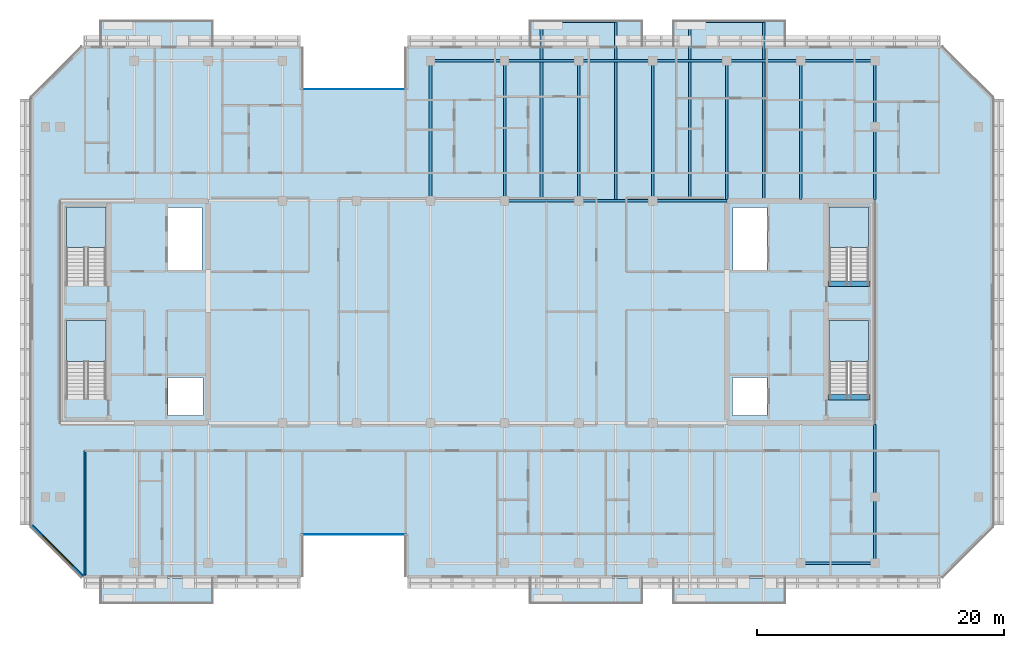
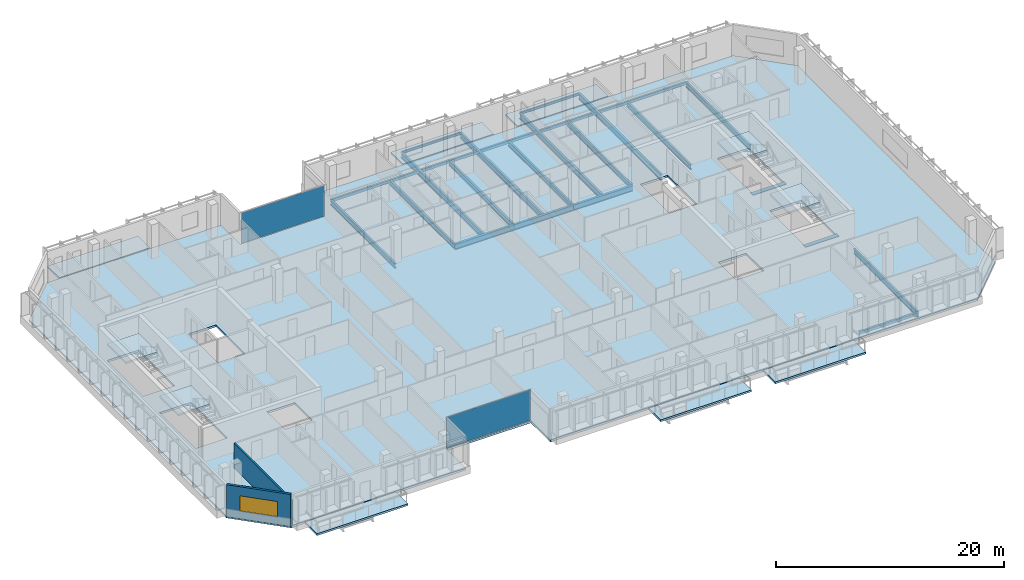
# One storey, part 5 of 17: 26 beams, 11 slabs, 2 plates, 2 walls, 1 window, 1 opening, 6 elements without a shape of their own.
"""IFC4 building model written with IfcOpenShell, lengths in metres."""

from ifc_helpers import new_model, si_unit, direction, frame, frame_2d, origin, origin_2d, place, context, subcontext, project, spatial, polyline, rectangle, hollow_rectangle, i_section, outline, extrude, material, layer, layer_set, material_profile, profile_set, type_object, element, fill, aggregate, save


model = new_model("IFC4")

# Units and contexts
model_context = context("Model", 3, precision=1e-05, world=origin(), true_north=direction((0.0, 1.0)))
body_context = subcontext(model_context, "Body", "Model", "MODEL_VIEW")
ifc_project = project(units=[si_unit("LENGTHUNIT", "METRE"), si_unit("AREAUNIT", "SQUARE_METRE"), si_unit("VOLUMEUNIT", "CUBIC_METRE"), si_unit("PLANEANGLEUNIT", "RADIAN"), si_unit("MASSUNIT", "GRAM", prefix="KILO")], contexts=[model_context])

# Site, building, storey
site_placement = place(None, origin())
site = spatial("IfcSite", under=ifc_project, at=site_placement, CompositionType="ELEMENT")
building_placement = place(site_placement, origin())
building = spatial("IfcBuilding", under=site, at=building_placement, Name="Tanjung Sevakor Pilgrim Tower", CompositionType="ELEMENT")
storey_placement = place(building_placement, frame((0.0, 0.0, 219.1201171875)))
storey = spatial("IfcBuildingStorey", under=building, at=storey_placement, Name="L61", CompositionType="ELEMENT", Elevation=219.1201171875)

# Beams
ifc_material_1 = material(Name="Steel S355J2", Category="steel")
ifc_material_profile_1 = material_profile(ifc_material_1, i_section(OverallWidth=0.22900390625, OverallDepth=0.6123046875, WebThickness=0.011962890625, FlangeThickness=0.01953125, FilletRadius=0.0126953125, at=origin_2d()))
ifc_profile_set_1 = profile_set([ifc_material_profile_1], Name="Steel S355J2")
beam_type_1 = type_object("IfcBeamType", Name="BM-B-G4-UB_610x229x125", PredefinedType="BEAM", material=ifc_profile_set_1)
for number, where, z_axis, x_axis, name in (
    (1, (60.0, 42.60009765625, -0.526123046875), (1.0, 0.0, 0.0), (0.0, 1.0, 0.0), "L61 Primary Floor Girder MAIN Y426-06"),
    (2, (66.0, 42.60009765625, -0.526123046875), (1.0, 0.0, 0.0), (0.0, 1.0, 0.0), "L61 Primary Floor Girder MAIN Y426-07"),
    (3, (72.0, 42.60009765625, -0.526123046875), (1.0, 0.0, 0.0), (0.0, 1.0, 0.0), "L61 Primary Floor Girder MAIN Y426-08"),
):
    element("IfcBeam", number, at=place(storey_placement, frame(where, z_axis=z_axis, x_axis=x_axis)), inside=storey, type_object=beam_type_1, Name=name, PredefinedType="BEAM", context=body_context, shape_type="SweptSolid", body=[
        extrude(i_section(OverallWidth=0.22900390625, OverallDepth=0.6123046875, WebThickness=0.011962890625, FlangeThickness=0.01953125, FilletRadius=0.0126953125, at=origin_2d()), origin(), (0.0, 0.0, 1.0), 6.0),
    ])
for number, where, z_axis, x_axis, name in (
    (4, (63.0, 42.714599609375, -0.526123046875), (0.0, 1.0, 0.0), (-1.0, 0.0, 0.0), "L61 Balcony Cantilever Beam MAIN-N2-1"),
    (5, (69.0, 42.714599609375, -0.526123046875), (0.0, 1.0, 0.0), (-1.0, 0.0, 0.0), "L61 Balcony Cantilever Beam MAIN-N2-2"),
    (6, (75.0, 42.714599609375, -0.526123046875), (0.0, 1.0, 0.0), (-1.0, 0.0, 0.0), "L61 Balcony Cantilever Beam MAIN-N3-1"),
    (7, (81.0, 42.714599609375, -0.526123046875), (0.0, 1.0, 0.0), (-1.0, 0.0, 0.0), "L61 Balcony Cantilever Beam MAIN-N3-2"),
):
    element("IfcBeam", number, at=place(storey_placement, frame(where, z_axis=z_axis, x_axis=x_axis)), inside=storey, type_object=beam_type_1, Name=name, PredefinedType="BEAM", context=body_context, shape_type="SweptSolid", body=[
        extrude(i_section(OverallWidth=0.22900390625, OverallDepth=0.6123046875, WebThickness=0.011962890625, FlangeThickness=0.01953125, FilletRadius=0.0126953125, at=origin_2d()), origin(), (0.0, 0.0, 1.0), 14.415283203125),
    ])
ifc_material_2 = material(Name="Steel S355J2", Category="steel")
ifc_material_profile_2 = material_profile(ifc_material_2, i_section(OverallWidth=0.2119140625, OverallDepth=0.54443359375, WebThickness=0.0126953125, FlangeThickness=0.021240234375, FilletRadius=0.0126953125, at=origin_2d()))
ifc_profile_set_2 = profile_set([ifc_material_profile_2], Name="Steel S355J2")
beam_type_2 = type_object("IfcBeamType", Name="BM-B-G5-UB_533x210x122", PredefinedType="BEAM", material=ifc_profile_set_2)
for number, where, z_axis, x_axis, name in (
    (8, (54.0, 42.60009765625, -0.492431640625), (0.0, 1.0, 0.0), (-1.0, 0.0, 0.0), "L61 MAIN Girder 009"),
    (9, (60.0, 42.60009765625, -0.492431640625), (0.0, 1.0, 0.0), (-1.0, 0.0, 0.0), "L61 MAIN Girder 012"),
    (10, (66.0, 42.60009765625, -0.492431640625), (0.0, 1.0, 0.0), (-1.0, 0.0, 0.0), "L61 MAIN Girder 015"),
    (11, (72.0, 42.60009765625, -0.492431640625), (0.0, 1.0, 0.0), (-1.0, 0.0, 0.0), "L61 MAIN Girder 018"),
):
    element("IfcBeam", number, at=place(storey_placement, frame(where, z_axis=z_axis, x_axis=x_axis)), inside=storey, type_object=beam_type_2, Name=name, PredefinedType="BEAM", context=body_context, shape_type="SweptSolid", body=[
        extrude(i_section(OverallWidth=0.2119140625, OverallDepth=0.54443359375, WebThickness=0.0126953125, FlangeThickness=0.021240234375, FilletRadius=0.0126953125, at=origin_2d()), origin(), (0.0, 0.0, 1.0), 11.349853515625),
    ])
for number, where, z_axis, x_axis, name in (
    (12, (78.0, 42.714599609375, -0.492431640625), (0.0, 1.0, 0.0), (-1.0, 0.0, 0.0), "L61 MAIN Girder 020"),
    (13, (84.0, 42.714599609375, -0.492431640625), (0.0, 1.0, 0.0), (-1.0, 0.0, 0.0), "L61 MAIN Girder 022"),
):
    element("IfcBeam", number, at=place(storey_placement, frame(where, z_axis=z_axis, x_axis=x_axis)), inside=storey, type_object=beam_type_2, Name=name, PredefinedType="BEAM", context=body_context, shape_type="SweptSolid", body=[
        extrude(i_section(OverallWidth=0.2119140625, OverallDepth=0.54443359375, WebThickness=0.0126953125, FlangeThickness=0.021240234375, FilletRadius=0.0126953125, at=origin_2d()), origin(), (0.0, 0.0, 1.0), 11.2353515625),
    ])
beam_1_placement = place(storey_placement, frame((90.0, 13.25, -0.492431640625), z_axis=(0.0, 1.0, 0.0), x_axis=(-1.0, 0.0, 0.0)))
element("IfcBeam", 14, at=beam_1_placement, inside=storey, type_object=beam_type_2, Name="L61 MAIN Girder 023", PredefinedType="BEAM", context=body_context, shape_type="SweptSolid", body=[
    extrude(i_section(OverallWidth=0.2119140625, OverallDepth=0.54443359375, WebThickness=0.0126953125, FlangeThickness=0.021240234375, FilletRadius=0.0126953125, at=origin_2d()), origin(), (0.0, 0.0, 1.0), 11.235595703125),
])
beam_2_placement = place(storey_placement, frame((90.0, 42.714599609375, -0.492431640625), z_axis=(0.0, 1.0, 0.0), x_axis=(-1.0, 0.0, 0.0)))
element("IfcBeam", 15, at=beam_2_placement, inside=storey, type_object=beam_type_2, Name="L61 MAIN Girder 024", PredefinedType="BEAM", context=body_context, shape_type="SweptSolid", body=[
    extrude(i_section(OverallWidth=0.2119140625, OverallDepth=0.54443359375, WebThickness=0.0126953125, FlangeThickness=0.021240234375, FilletRadius=0.0126953125, at=origin_2d()), origin(), (0.0, 0.0, 1.0), 11.2353515625),
])
ifc_material_3 = material(Name="Steel S355J2", Category="steel")
ifc_material_profile_3 = material_profile(ifc_material_3, i_section(OverallWidth=0.146484375, OverallDepth=0.256103515625, WebThickness=0.00634765625, FlangeThickness=0.010986328125, FilletRadius=0.007568359375, at=origin_2d()))
ifc_profile_set_3 = profile_set([ifc_material_profile_3], Name="Steel S355J2")
beam_type_3 = type_object("IfcBeamType", Name="BM-B-J6-UB_254x146x37", PredefinedType="JOIST", material=ifc_profile_set_3)
for number, where, z_axis, x_axis, name in (
    (16, (63.0, 57.1298828125, -0.328125), (1.0, 0.0, 0.0), (0.0, 1.0, 0.0), "L61 Balcony Rim Tie MAIN-N2"),
    (17, (75.0, 57.1298828125, -0.328125), (1.0, 0.0, 0.0), (0.0, 1.0, 0.0), "L61 Balcony Rim Tie MAIN-N3"),
):
    element("IfcBeam", number, at=place(storey_placement, frame(where, z_axis=z_axis, x_axis=x_axis)), inside=storey, type_object=beam_type_3, Name=name, PredefinedType="JOIST", context=body_context, shape_type="SweptSolid", body=[
        extrude(i_section(OverallWidth=0.146484375, OverallDepth=0.256103515625, WebThickness=0.00634765625, FlangeThickness=0.010986328125, FilletRadius=0.007568359375, at=origin_2d()), origin(), (0.0, 0.0, 1.0), 6.0),
    ])
ifc_material_4 = material(Name="Concrete C60/75", Category="concrete")
ifc_material_profile_4 = material_profile(ifc_material_4, rectangle(XDim=0.449951171875, YDim=0.699951171875, at=origin_2d()))
ifc_profile_set_4 = profile_set([ifc_material_profile_4], Name="Concrete C60/75")
beam_type_4 = type_object("IfcBeamType", Name="BM-B-LN3-RC-BM_450x700", PredefinedType="LINTEL", material=ifc_profile_set_4)
for number, where, z_axis, x_axis, name in (
    (18, (86.199951171875, 26.699951171875, -0.35009765625), (1.0, 0.0, 0.0), (0.0, 1.0, 0.0), "L61 TS-E1 Stair Threshold Beam"),
    (19, (86.199951171875, 35.89990234375, -0.35009765625), (1.0, 0.0, 0.0), (0.0, 1.0, 0.0), "L61 TS-E2 Stair Threshold Beam"),
):
    element("IfcBeam", number, at=place(storey_placement, frame(where, z_axis=z_axis, x_axis=x_axis)), inside=storey, type_object=beam_type_4, Name=name, PredefinedType="LINTEL", context=body_context, shape_type="SweptSolid", body=[
        extrude(rectangle(XDim=0.449951171875, YDim=0.699951171875, at=origin_2d()), origin(), (0.0, 0.0, 1.0), 3.400146484375),
    ])
ifc_material_5 = material(Name="Steel S355J2", Category="steel")
ifc_material_profile_5 = material_profile(ifc_material_5, hollow_rectangle(XDim=0.199951171875, YDim=0.300048828125, WallThickness=0.012451171875, at=origin_2d()))
ifc_profile_set_5 = profile_set([ifc_material_profile_5], Name="Steel S355J2")
beam_type_5 = type_object("IfcBeamType", Name="BM-B-SP3-RHS_300x200x12.5", PredefinedType="SPANDREL", material=ifc_profile_set_5)
for number, where, z_axis, x_axis, name in (
    (20, (54.0, 53.949951171875, -0.3701171875), (1.0, 0.0, 0.0), (0.0, 1.0, 0.0), "L61 Spandrel MAIN N-06"),
    (21, (60.0, 53.949951171875, -0.3701171875), (1.0, 0.0, 0.0), (0.0, 1.0, 0.0), "L61 Spandrel MAIN N-08"),
    (22, (66.0, 53.949951171875, -0.3701171875), (1.0, 0.0, 0.0), (0.0, 1.0, 0.0), "L61 Spandrel MAIN N-10"),
    (23, (72.0, 53.949951171875, -0.3701171875), (1.0, 0.0, 0.0), (0.0, 1.0, 0.0), "L61 Spandrel MAIN N-12"),
    (24, (78.0, 53.949951171875, -0.3701171875), (1.0, 0.0, 0.0), (0.0, 1.0, 0.0), "L61 Spandrel MAIN N-14"),
    (25, (84.0, 13.25, -0.3701171875), (1.0, 0.0, 0.0), (0.0, 1.0, 0.0), "L61 Spandrel MAIN S-15"),
    (26, (84.0, 53.949951171875, -0.3701171875), (1.0, 0.0, 0.0), (0.0, 1.0, 0.0), "L61 Spandrel MAIN N-16"),
):
    element("IfcBeam", number, at=place(storey_placement, frame(where, z_axis=z_axis, x_axis=x_axis)), inside=storey, type_object=beam_type_5, Name=name, PredefinedType="SPANDREL", context=body_context, shape_type="SweptSolid", body=[
        extrude(hollow_rectangle(XDim=0.199951171875, YDim=0.300048828125, WallThickness=0.012451171875, at=origin_2d()), origin(), (0.0, 0.0, 1.0), 6.0),
    ])

# Slabs
ifc_material_6 = material(Name="Concrete C40/50", Category="concrete")
ifc_layer_1 = layer(ifc_material_6, 0.199951171875)
ifc_layer_set_1 = layer_set([ifc_layer_1], Name="SL-BAL-200")
slab_type_1 = type_object("IfcSlabType", Name="SL-BAL-200", PredefinedType="FLOOR", material=ifc_layer_set_1)
slab_1_placement = place(storey_placement, frame((0.0, 0.0, -0.2001953125)))
element("IfcSlab", 27, at=slab_1_placement, inside=storey, type_object=slab_type_1, Name="L61 Planted Loggia Balcony MAIN-S1", PredefinedType="FLOOR", context=body_context, shape_type="SweptSolid", body=[
    extrude(outline(polyline([(27.199951171875, 9.949951171875), (36.39990234375, 9.949951171875), (36.39990234375, 12.050048828125), (27.199951171875, 12.050048828125), (27.199951171875, 9.949951171875)])), origin(), (0.0, 0.0, 1.0), 0.2001953125),
])
slab_2_placement = place(storey_placement, frame((0.0, 0.0, -0.2001953125)))
element("IfcSlab", 28, at=slab_2_placement, inside=storey, type_object=slab_type_1, Name="L61 Planted Loggia Balcony MAIN-N1", PredefinedType="FLOOR", context=body_context, shape_type="SweptSolid", body=[
    extrude(outline(polyline([(27.199951171875, 55.14990234375), (36.39990234375, 55.14990234375), (36.39990234375, 57.25), (27.199951171875, 57.25), (27.199951171875, 55.14990234375)])), origin(), (0.0, 0.0, 1.0), 0.2001953125),
])
slab_3_placement = place(storey_placement, frame((0.0, 0.0, -0.2001953125)))
element("IfcSlab", 29, at=slab_3_placement, inside=storey, type_object=slab_type_1, Name="L61 Planted Loggia Balcony MAIN-S2", PredefinedType="FLOOR", context=body_context, shape_type="SweptSolid", body=[
    extrude(outline(polyline([(62.0, 9.949951171875), (71.199951171875, 9.949951171875), (71.199951171875, 12.050048828125), (62.0, 12.050048828125), (62.0, 9.949951171875)])), origin(), (0.0, 0.0, 1.0), 0.2001953125),
])
slab_4_placement = place(storey_placement, frame((0.0, 0.0, -0.2001953125)))
element("IfcSlab", 30, at=slab_4_placement, inside=storey, type_object=slab_type_1, Name="L61 Planted Loggia Balcony MAIN-N2", PredefinedType="FLOOR", context=body_context, shape_type="SweptSolid", body=[
    extrude(outline(polyline([(62.0, 55.14990234375), (71.199951171875, 55.14990234375), (71.199951171875, 57.25), (62.0, 57.25), (62.0, 55.14990234375)])), origin(), (0.0, 0.0, 1.0), 0.2001953125),
])
slab_5_placement = place(storey_placement, frame((0.0, 0.0, -0.2001953125)))
element("IfcSlab", 31, at=slab_5_placement, inside=storey, type_object=slab_type_1, Name="L61 Planted Loggia Balcony MAIN-S3", PredefinedType="FLOOR", context=body_context, shape_type="SweptSolid", body=[
    extrude(outline(polyline([(73.60009765625, 9.949951171875), (82.800048828125, 9.949951171875), (82.800048828125, 12.050048828125), (73.60009765625, 12.050048828125), (73.60009765625, 9.949951171875)])), origin(), (0.0, 0.0, 1.0), 0.2001953125),
])
slab_6_placement = place(storey_placement, frame((0.0, 0.0, -0.2001953125)))
element("IfcSlab", 32, at=slab_6_placement, inside=storey, type_object=slab_type_1, Name="L61 Planted Loggia Balcony MAIN-N3", PredefinedType="FLOOR", context=body_context, shape_type="SweptSolid", body=[
    extrude(outline(polyline([(73.60009765625, 55.14990234375), (82.800048828125, 55.14990234375), (82.800048828125, 57.25), (73.60009765625, 57.25), (73.60009765625, 55.14990234375)])), origin(), (0.0, 0.0, 1.0), 0.2001953125),
])

# Stair, slab
ifc_material_7 = material(Name="Concrete C40/50", Category="concrete")
stair_type = type_object("IfcStairType", Name="STAIR-ST-CR150", PredefinedType="HALF_TURN_STAIR", material=ifc_material_7)
stair_1_placement = place(storey_placement, origin())
stair_1 = element("IfcStair", 33, at=stair_1_placement, inside=storey, type_object=stair_type, Name="L61 West Core Exit Stair 1", PredefinedType="HALF_TURN_STAIR")
ifc_material_8 = material(Name="Concrete C40/50", Category="concrete")
ifc_layer_2 = layer(ifc_material_8, 0.199951171875)
ifc_layer_set_2 = layer_set([ifc_layer_2], Name="SL-LAND-200")
slab_type_2 = type_object("IfcSlabType", Name="SL-LAND-200", PredefinedType="LANDING", material=ifc_layer_set_2)
slab_7_placement = place(storey_placement, frame((0.0, 0.0, 1.614990234375)))
slab_7 = element("IfcSlab", 34, at=slab_7_placement, type_object=slab_type_2, Name="TS-W1 landing 1", PredefinedType="LANDING", context=body_context, shape_type="SweptSolid", body=[
    extrude(outline(polyline([(27.699951171875, 29.60009765625), (27.699951171875, 32.89990234375), (24.5, 32.89990234375), (24.5, 29.60009765625), (27.699951171875, 29.60009765625)])), origin(), (0.0, 0.0, 1.0), 0.199951171875),
])
aggregate(stair_1, [slab_7])

stair_2_placement = place(storey_placement, origin())
stair_2 = element("IfcStair", 35, at=stair_2_placement, inside=storey, type_object=stair_type, Name="L61 West Core Exit Stair 2", PredefinedType="HALF_TURN_STAIR")
slab_8_placement = place(storey_placement, frame((0.0, 0.0, 1.614990234375)))
slab_8 = element("IfcSlab", 36, at=slab_8_placement, type_object=slab_type_2, Name="TS-W2 landing 1", PredefinedType="LANDING", context=body_context, shape_type="SweptSolid", body=[
    extrude(outline(polyline([(27.699951171875, 38.800048828125), (27.699951171875, 42.10009765625), (24.5, 42.10009765625), (24.5, 38.800048828125), (27.699951171875, 38.800048828125)])), origin(), (0.0, 0.0, 1.0), 0.199951171875),
])
aggregate(stair_2, [slab_8])

stair_3_placement = place(storey_placement, origin())
stair_3 = element("IfcStair", 37, at=stair_3_placement, inside=storey, type_object=stair_type, Name="L61 East Core Exit Stair 1", PredefinedType="HALF_TURN_STAIR")
slab_9_placement = place(storey_placement, frame((0.0, 0.0, 1.614990234375)))
slab_9 = element("IfcSlab", 38, at=slab_9_placement, type_object=slab_type_2, Name="TS-E1 landing 1", PredefinedType="LANDING", context=body_context, shape_type="SweptSolid", body=[
    extrude(outline(polyline([(89.5, 29.60009765625), (89.5, 32.89990234375), (86.300048828125, 32.89990234375), (86.300048828125, 29.60009765625), (89.5, 29.60009765625)])), origin(), (0.0, 0.0, 1.0), 0.199951171875),
])
aggregate(stair_3, [slab_9])

stair_4_placement = place(storey_placement, origin())
stair_4 = element("IfcStair", 39, at=stair_4_placement, inside=storey, type_object=stair_type, Name="L61 East Core Exit Stair 2", PredefinedType="HALF_TURN_STAIR")
slab_10_placement = place(storey_placement, frame((0.0, 0.0, 1.614990234375)))
slab_10 = element("IfcSlab", 40, at=slab_10_placement, type_object=slab_type_2, Name="TS-E2 landing 1", PredefinedType="LANDING", context=body_context, shape_type="SweptSolid", body=[
    extrude(outline(polyline([(89.5, 38.800048828125), (89.5, 42.10009765625), (86.300048828125, 42.10009765625), (86.300048828125, 38.800048828125), (89.5, 38.800048828125)])), origin(), (0.0, 0.0, 1.0), 0.199951171875),
])
aggregate(stair_4, [slab_10])

# Slab
ifc_material_9 = material(Name="Concrete C40/50", Category="concrete")
ifc_layer_3 = layer(ifc_material_9, 0.219970703125)
ifc_layer_set_3 = layer_set([ifc_layer_3], Name="SL-TWR-220")
slab_type_3 = type_object("IfcSlabType", Name="SL-TWR-220", PredefinedType="FLOOR", material=ifc_layer_set_3)
slab_11_placement = place(storey_placement, frame((0.0, 0.0, -0.22021484375)))
element("IfcSlab", 41, at=slab_11_placement, inside=storey, type_object=slab_type_3, Name="L61 Floor Slab MAIN", PredefinedType="FLOOR", context=body_context, shape_type="SweptSolid", body=[
    extrude(outline(polyline([(25.846923828125, 12.1298828125), (43.52001953125, 12.1298828125), (43.52001953125, 15.530029296875), (52.080078125, 15.530029296875), (52.080078125, 12.1298828125), (95.35302734375, 12.1298828125), (99.52001953125, 16.296875), (99.52001953125, 50.903076171875), (95.35302734375, 55.070068359375), (52.080078125, 55.070068359375), (52.080078125, 51.669921875), (43.52001953125, 51.669921875), (43.52001953125, 55.070068359375), (25.846923828125, 55.070068359375), (21.679931640625, 50.903076171875), (21.679931640625, 16.296875), (25.846923828125, 12.1298828125)]), holes=[polyline([(27.699951171875, 26.60009765625), (27.699951171875, 32.89990234375), (24.5, 32.89990234375), (24.5, 26.60009765625), (27.699951171875, 26.60009765625)]), polyline([(27.699951171875, 35.800048828125), (27.699951171875, 42.10009765625), (24.5, 42.10009765625), (24.5, 35.800048828125), (27.699951171875, 35.800048828125)]), polyline([(89.5, 26.60009765625), (89.5, 32.89990234375), (86.300048828125, 32.89990234375), (86.300048828125, 26.60009765625), (89.5, 26.60009765625)]), polyline([(89.5, 35.800048828125), (89.5, 42.10009765625), (86.300048828125, 42.10009765625), (86.300048828125, 35.800048828125), (89.5, 35.800048828125)]), polyline([(32.75, 25.199951171875), (35.550048828125, 25.199951171875), (35.550048828125, 28.300048828125), (32.75, 28.300048828125), (32.75, 25.199951171875)]), polyline([(32.75, 37.0), (35.5, 37.0), (35.5, 42.050048828125), (32.75, 42.050048828125), (32.75, 37.0)]), polyline([(78.449951171875, 25.199951171875), (81.25, 25.199951171875), (81.25, 28.300048828125), (78.449951171875, 28.300048828125), (78.449951171875, 25.199951171875)]), polyline([(78.5, 37.0), (81.25, 37.0), (81.25, 42.050048828125), (78.5, 42.050048828125), (78.5, 37.0)])]), origin(), (0.0, 0.0, 1.0), 0.22021484375),
])

# Curtain wall, plate
ifc_material_10 = material(Name="Aluminium 6063-T6 and Low-E Glass", Category="aluminium")
ifc_layer_4 = layer(ifc_material_10, 0.179931640625)
ifc_layer_set_4 = layer_set([ifc_layer_4], Name="CW-SYS-CLEFT")
curtain_wall_type = type_object("IfcCurtainWallType", Name="CW-SYS-CLEFT", PredefinedType="NOTDEFINED", material=ifc_layer_set_4)
curtain_wall_1_placement = place(storey_placement, origin())
curtain_wall_1 = element("IfcCurtainWall", 42, at=curtain_wall_1_placement, inside=storey, type_object=curtain_wall_type, Name="L61 Curtain Wall CW-CLF-L61-2", PredefinedType="NOTDEFINED")
ifc_material_11 = material(Name="Laminated Low-E Double Glazing", Category="glass")
ifc_layer_5 = layer(ifc_material_11, 0.028076171875)
ifc_layer_set_5 = layer_set([ifc_layer_5], Name="TYPE-CWP-GLZ1")
plate_type = type_object("IfcPlateType", Name="TYPE-CWP-GLZ1", PredefinedType="CURTAIN_PANEL", material=ifc_layer_set_5)
plate_1_placement = place(storey_placement, frame((47.800048828125, 15.56005859375, 0.06494140625), z_axis=(0.0, 0.0, 1.0), x_axis=(1.0, 0.0, 0.0)))
plate_1 = element("IfcPlate", 43, at=plate_1_placement, type_object=plate_type, Name="CW-CLF panel 1.1", PredefinedType="CURTAIN_PANEL", context=body_context, shape_type="SweptSolid", body=[
    extrude(rectangle(XDim=8.469970703125, YDim=0.028076171875, at=origin_2d()), origin(), (0.0, 0.0, 1.0), 3.280029296875),
])
aggregate(curtain_wall_1, [plate_1])

curtain_wall_2_placement = place(storey_placement, origin())
curtain_wall_2 = element("IfcCurtainWall", 44, at=curtain_wall_2_placement, inside=storey, type_object=curtain_wall_type, Name="L61 Curtain Wall CW-CLF-L61-10", PredefinedType="NOTDEFINED")
plate_2_placement = place(storey_placement, frame((47.800048828125, 51.639892578125, 0.06494140625), z_axis=(0.0, 0.0, 1.0), x_axis=(-1.0, 0.0, 0.0)))
plate_2 = element("IfcPlate", 45, at=plate_2_placement, type_object=plate_type, Name="CW-CLF panel 1.1", PredefinedType="CURTAIN_PANEL", context=body_context, shape_type="SweptSolid", body=[
    extrude(rectangle(XDim=8.469970703125, YDim=0.028076171875, at=origin_2d()), origin(), (0.0, 0.0, 1.0), 3.280029296875),
])
aggregate(curtain_wall_2, [plate_2])

# Wall
ifc_material_12 = material(Name="Concrete C40/50", Category="concrete")
ifc_layer_6 = layer(ifc_material_12, 0.14990234375)
ifc_layer_set_6 = layer_set([ifc_layer_6], Name="WT-COMP-150")
wall_type_1 = type_object("IfcWallType", Name="WT-COMP-150", PredefinedType="SOLIDWALL", material=ifc_layer_set_6)
wall_1_placement = place(storey_placement, frame((26.0, 12.27001953125, 0.0), z_axis=(0.0, 0.0, 1.0), x_axis=(0.0, 1.0, 0.0)))
element("IfcWall", 46, at=wall_1_placement, inside=storey, type_object=wall_type_1, Name="L61 Partition IW-L61-051", PredefinedType="SOLIDWALL", context=body_context, shape_type="SweptSolid", body=[
    extrude(rectangle(XDim=10.080078125, YDim=0.14990234375, at=frame_2d((5.0400390625, 0.0))), origin(), (0.0, 0.0, 1.0), 2.6298828125),
])

# Wall, opening, window
ifc_material_13 = material(Name="Precast concrete C45/55", Category="concrete")
ifc_layer_7 = layer(ifc_material_13, 0.219970703125)
ifc_layer_set_7 = layer_set([ifc_layer_7], Name="WT-EW-STN4")
wall_type_2 = type_object("IfcWallType", Name="WT-EW-STN4", PredefinedType="SOLIDWALL", material=ifc_layer_set_7)
wall_2_placement = place(storey_placement, frame((21.7099609375, 16.295654296875, 0.0), z_axis=(0.0, 0.0, 1.0), x_axis=(0.707106781187, -0.707106781187, 0.0)))
wall_2 = element("IfcWall", 47, at=wall_2_placement, inside=storey, type_object=wall_type_2, Name="L61 MAIN Sculpted Corner Wall 15", PredefinedType="SOLIDWALL", context=body_context, shape_type="SweptSolid", body=[
    extrude(rectangle(XDim=5.848876953125, YDim=0.219970703125, at=frame_2d((2.92431640625, 0.0))), origin(), (0.0, 0.0, 1.0), 3.409912109375),
])
opening_placement = place(wall_2_placement, frame((1.224365234375, 0.0, 0.780029296875)))
opening = element("IfcOpeningElement", 48, at=opening_placement, cuts=wall_2, Name="Opening WN-CHM-1660", PredefinedType="OPENING", context=body_context, shape_type="SweptSolid", body=[
    extrude(rectangle(XDim=3.39990234375, YDim=1.659912109375, at=frame_2d((1.699951171875, 0.830078125))), frame((0.0, 0.119873046875, 0.0), z_axis=(0.0, -1.0, 0.0), x_axis=(1.0, 0.0, 0.0)), (0.0, 0.0, 1.0), 0.239990234375),
])
ifc_material_14 = material(Name="Thermally Broken Aluminium and Low-E Glass", Category="aluminium")
window_type = type_object("IfcWindowType", Name="WTYP-WN-CHM-1660", PartitioningType="DOUBLE_PANEL_VERTICAL", PredefinedType="WINDOW", material=ifc_material_14)
window_placement = place(opening_placement, origin())
window = element("IfcWindow", 49, at=window_placement, inside=storey, type_object=window_type, Name="L61 Facade Window 01", OverallHeight=1.659912109375, OverallWidth=3.39990234375, PartitioningType="SINGLE_PANEL", PredefinedType="WINDOW", context=body_context, shape_type="SweptSolid", body=[
    extrude(rectangle(XDim=3.39990234375, YDim=1.659912109375, at=frame_2d((1.699951171875, 0.830078125))), frame((0.0, 0.030029296875, 0.0), z_axis=(0.0, -1.0, 0.0), x_axis=(1.0, 0.0, 0.0)), (0.0, 0.0, 1.0), 0.06005859375),
])
fill(opening, window)

save(model, "model.ifc")
